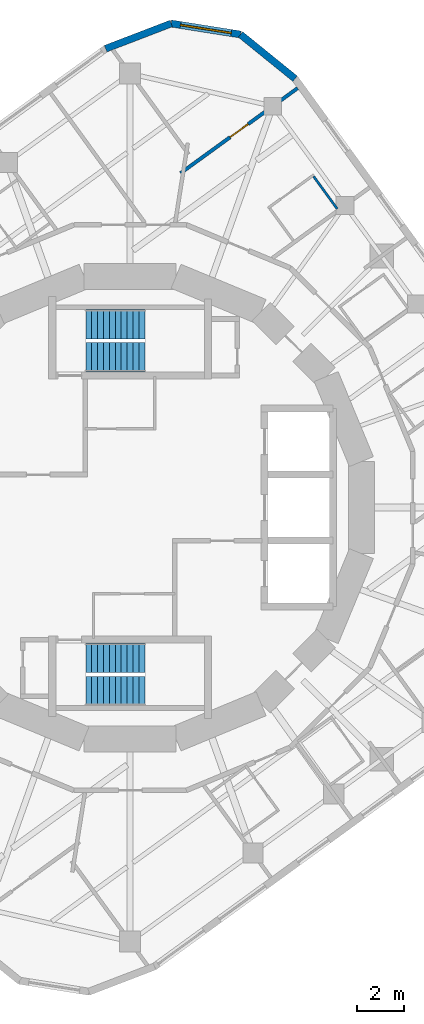
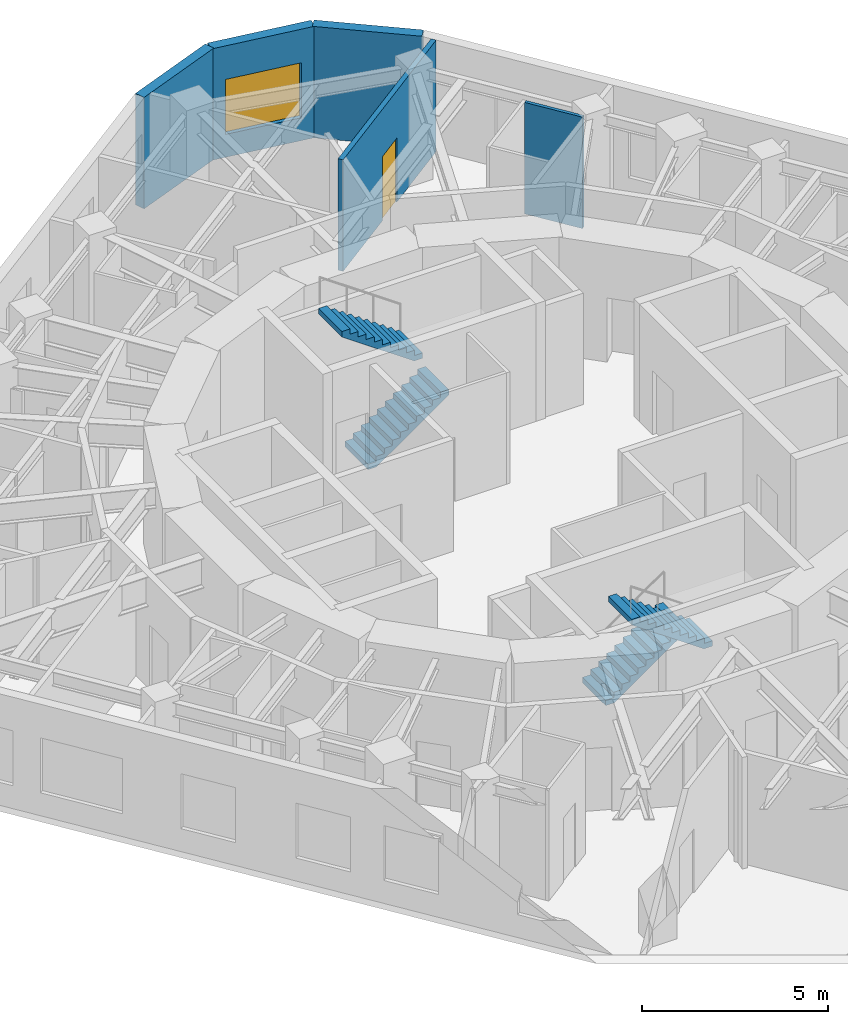
# One storey, part 8 of 9: 5 walls, 4 stair flights, 1 door, 1 window, 2 openings, 2 elements without a shape of their own.
"""IFC4 building model written with IfcOpenShell, lengths in metres."""

import ifcopenshell
import ifcopenshell.guid

model = None  # the IFC model being written
_history = None  # IfcOwnerHistory: only IFC2X3 demands one
_inside = {}  # id of a spatial element -> (the spatial element, [elements in it])
_under = {}  # id of a project, library or spatial element -> (it, [spatial elements below it])
_declared = {}  # id of a project -> (the project, [libraries it declares])
_typed = {}  # id of a type object -> (the type object, [elements of that type])
_made_of = {}  # id of a material, layer set ... -> (it, [elements and type objects made of it])


def new_model(schema):
    """Start an empty IFC model of exactly this schema.

    Asked for "IFC4X3", IfcOpenShell would pick the latest addendum, in which some entities
    have other attributes; the version numbers below select the first issue.
    IFC2X3 requires an IfcOwnerHistory on every rooted entity: one is made here for all.
    """
    global model, _history
    if schema == "IFC4X3":
        model = ifcopenshell.file(schema_version=(4, 3, 0, 0))
    else:
        model = ifcopenshell.file(schema=schema)
    _inside.clear()
    _under.clear()
    _declared.clear()
    _typed.clear()
    _made_of.clear()
    _history = None
    if model.schema == "IFC2X3":
        org = make("IfcOrganization", Name="unknown")
        user = make(
            "IfcPersonAndOrganization",
            ThePerson=make("IfcPerson", FamilyName="unknown"),
            TheOrganization=org,
        )
        app = make(
            "IfcApplication",
            ApplicationDeveloper=org,
            Version="unknown",
            ApplicationFullName="unknown",
            ApplicationIdentifier="unknown",
        )
        _history = make(
            "IfcOwnerHistory",
            OwningUser=user,
            OwningApplication=app,
            ChangeAction="ADDED",
            CreationDate=0,
        )
    return model


def make(cls, **values):
    """One entity of the class cls with the attributes given. An attribute that is None is left unset."""
    return model.create_entity(
        cls, **{name: value for name, value in values.items() if value is not None}
    )


def rooted(cls, **values):
    """An entity with a GlobalId (a new one), such as an element, a storey or a relation."""
    return make(cls, GlobalId=ifcopenshell.guid.new(), OwnerHistory=_history, **values)


def si_unit(unit_type, name, prefix=None):
    """IfcSIUnit, for example si_unit("LENGTHUNIT", "METRE", prefix="MILLI")."""
    return make("IfcSIUnit", UnitType=unit_type, Prefix=prefix, Name=name)


def assignment(units):
    """IfcUnitAssignment: the units of a project."""
    return None if units is None else make("IfcUnitAssignment", Units=units)


def point(xyz):
    """IfcCartesianPoint."""
    return None if xyz is None else make("IfcCartesianPoint", Coordinates=xyz)


def direction(xyz):
    """IfcDirection."""
    return None if xyz is None else make("IfcDirection", DirectionRatios=xyz)


def frame(location, z_axis=None, x_axis=None):
    """IfcAxis2Placement3D, a coordinate frame: its origin and axes. An axis left out is left unset."""
    return make(
        "IfcAxis2Placement3D",
        Location=point(location),
        Axis=direction(z_axis),
        RefDirection=direction(x_axis),
    )


def frame_2d(location, x_axis=None):
    """IfcAxis2Placement2D, a coordinate frame in the plane: its origin and x axis."""
    return make(
        "IfcAxis2Placement2D", Location=point(location), RefDirection=direction(x_axis)
    )


def origin():
    """The frame at (0, 0, 0) with its axes left unset."""
    return frame((0.0, 0.0, 0.0))


def place(relative_to, where):
    """IfcLocalPlacement: puts the frame where relative to a parent placement (None: the world)."""
    return make(
        "IfcLocalPlacement", PlacementRelTo=relative_to, RelativePlacement=where
    )


def context(
    kind, dimensions, precision=None, world=None, true_north=None, identifier=None
):
    """IfcGeometricRepresentationContext, for example the 3D "Model" context."""
    return make(
        "IfcGeometricRepresentationContext",
        ContextIdentifier=identifier,
        ContextType=kind,
        CoordinateSpaceDimension=dimensions,
        Precision=precision,
        WorldCoordinateSystem=world,
        TrueNorth=true_north,
    )


def subcontext(parent, identifier, kind, view, scale=None):
    """IfcGeometricRepresentationSubContext, for example "Body" below "Model"."""
    return make(
        "IfcGeometricRepresentationSubContext",
        ContextIdentifier=identifier,
        ContextType=kind,
        ParentContext=parent,
        TargetScale=scale,
        TargetView=view,
    )


def project(units=None, contexts=None):
    """IfcProject with its units and contexts."""
    return rooted(
        "IfcProject",
        Name="project",
        RepresentationContexts=contexts,
        UnitsInContext=assignment(units),
    )


def spatial(cls, under=None, at=None, **own):
    """A site, building, storey or space (cls), placed at a placement, below another one or the project."""
    s = rooted(cls, ObjectPlacement=at, **own)
    if under is not None:
        _under.setdefault(under.id(), (under, []))[1].append(s)
    return s


def polyline(points):
    """IfcPolyline through the points."""
    return make("IfcPolyline", Points=[point(p) for p in points])


def profile(cls, at=None, kind="AREA", **sizes):
    """A parametric profile (cls). Its sizes go by their IFC names, for example OverallWidth=200.0."""
    return make(cls, ProfileType=kind, Position=at, **sizes)


def rectangle(**sizes):
    """IfcRectangleProfileDef."""
    return profile("IfcRectangleProfileDef", **sizes)


def outline(outer, holes=None, kind="AREA"):
    """IfcArbitraryClosedProfileDef: a profile drawn as a closed curve; with holes, ...WithVoids."""
    if holes is None:
        return make("IfcArbitraryClosedProfileDef", ProfileType=kind, OuterCurve=outer)
    return make(
        "IfcArbitraryProfileDefWithVoids",
        ProfileType=kind,
        OuterCurve=outer,
        InnerCurves=holes,
    )


def extrude(swept, where, along, depth):
    """IfcExtrudedAreaSolid: the profile swept, set in the frame where, extruded along a direction by depth."""
    return make(
        "IfcExtrudedAreaSolid",
        SweptArea=swept,
        Position=where,
        ExtrudedDirection=direction(along),
        Depth=depth,
    )


def shape(context_of_items, identifier, shape_type, items):
    """IfcShapeRepresentation: the items that make up one representation, for example the "Body"."""
    return make(
        "IfcShapeRepresentation",
        ContextOfItems=context_of_items,
        RepresentationIdentifier=identifier,
        RepresentationType=shape_type,
        Items=items,
    )


def material(Name=None, Category=None):
    """IfcMaterial."""
    return make("IfcMaterial", Name=Name, Category=Category)


def layer(
    of_material, thickness, ventilated=None, Name=None, Category=None, Priority=None
):
    """IfcMaterialLayer: one layer of a wall or slab, of a material (None: an air gap)."""
    return make(
        "IfcMaterialLayer",
        Material=of_material,
        LayerThickness=thickness,
        IsVentilated=ventilated,
        Name=Name,
        Category=Category,
        Priority=Priority,
    )


def layer_set(layers, Name=None):
    """IfcMaterialLayerSet."""
    return make("IfcMaterialLayerSet", MaterialLayers=layers, LayerSetName=Name)


def made_of(thing, what):
    """Note that an element or type object is made of a material, layer set ...; save() writes the relation."""
    if what is not None:
        _made_of.setdefault(what.id(), (what, []))[1].append(thing)
    return thing


def type_object(cls, material=None, **own):
    """A type object (cls), such as IfcWallType, which elements share."""
    return made_of(rooted(cls, **own), material)


def element(
    cls,
    number,
    at=None,
    inside=None,
    cuts=None,
    type_object=None,
    material=None,
    context=None,
    identifier="Body",
    shape_type=None,
    held_by="IfcProductDefinitionShape",
    body=None,
    shapes=None,
    **own,
):
    """One element of the class cls, such as IfcWall. Its Tag is "e" and its number.

    at: its placement. inside: the storey or other place that contains it. cuts: it is an
    opening in that element (IfcRelVoidsElement). A single representation is given by context,
    identifier, shape_type and body (its items); several are given by shapes. held_by: the class
    of the entity that holds the representations. save() writes the other relations.
    """
    e = rooted(cls, Tag="e%d" % number, ObjectPlacement=at, **own)
    if body is not None:
        shapes = [shape(context, identifier, shape_type, body)]
    if shapes is not None:
        e.Representation = make(held_by, Representations=shapes)
    if inside is not None:
        _inside.setdefault(inside.id(), (inside, []))[1].append(e)
    if cuts is not None:
        rooted(
            "IfcRelVoidsElement", RelatingBuildingElement=cuts, RelatedOpeningElement=e
        )
    if type_object is not None:
        _typed.setdefault(type_object.id(), (type_object, []))[1].append(e)
    return made_of(e, material)


def fill(opening, filler):
    """IfcRelFillsElement: the door or window that sits in an opening."""
    return rooted(
        "IfcRelFillsElement",
        RelatingOpeningElement=opening,
        RelatedBuildingElement=filler,
    )


def aggregate(whole, parts):
    """IfcRelAggregates: a whole, such as a stair, and the parts it consists of."""
    return rooted("IfcRelAggregates", RelatingObject=whole, RelatedObjects=parts)


def save(model, path):
    """Write the relations noted so far, then the file.

    IfcRelAggregates (storeys below a building ...), IfcRelContainedInSpatialStructure (elements
    in a storey), IfcRelDefinesByType, IfcRelAssociatesMaterial and IfcRelDeclares: one each for
    every whole, place, type object, material and project.
    """
    for whole, parts in _under.values():
        aggregate(whole, parts)
    for where, things in _inside.values():
        rooted(
            "IfcRelContainedInSpatialStructure",
            RelatedElements=things,
            RelatingStructure=where,
        )
    for kind, things in _typed.values():
        rooted("IfcRelDefinesByType", RelatedObjects=things, RelatingType=kind)
    for what, things in _made_of.values():
        rooted("IfcRelAssociatesMaterial", RelatedObjects=things, RelatingMaterial=what)
    for by, libraries in _declared.values():
        rooted("IfcRelDeclares", RelatingContext=by, RelatedDefinitions=libraries)
    model.write(path)


model = new_model("IFC4")

# Units and contexts
model_context = context("Model", 3, precision=1e-05, world=origin(), true_north=direction((0.0, 1.0)))
body_context = subcontext(model_context, "Body", "Model", "MODEL_VIEW")
ifc_project = project(units=[si_unit("LENGTHUNIT", "METRE"), si_unit("AREAUNIT", "SQUARE_METRE"), si_unit("VOLUMEUNIT", "CUBIC_METRE"), si_unit("PLANEANGLEUNIT", "RADIAN"), si_unit("MASSUNIT", "GRAM", prefix="KILO")], contexts=[model_context])

# Site, building, storey
site_placement = place(None, origin())
site = spatial("IfcSite", under=ifc_project, at=site_placement, CompositionType="ELEMENT")
building_placement = place(site_placement, origin())
building = spatial("IfcBuilding", under=site, at=building_placement, Name="Nakasero Lantern House", CompositionType="ELEMENT")
storey_placement = place(building_placement, frame((0.0, 0.0, 283.0)))
storey = spatial("IfcBuildingStorey", under=building, at=storey_placement, Name="L69", CompositionType="ELEMENT", Elevation=283.0)

# Walls
ifc_material_1 = material(Name="Blockwork", Category="masonry")
ifc_layer_1 = layer(ifc_material_1, 0.10009765625)
ifc_layer_set_1 = layer_set([ifc_layer_1], Name="En-suite wall 100")
wall_type_1 = type_object("IfcWallType", Name="En-suite wall 100", PredefinedType="PARTITIONING", material=ifc_layer_set_1)
wall_1_placement = place(storey_placement, frame((8.78271484375, 12.665771484375, 0.0), z_axis=(0.0, 0.0, 1.0), x_axis=(-0.587821529301, 0.808990636343, 0.0)))
element("IfcWall", 1, at=wall_1_placement, inside=storey, type_object=wall_type_1, Name="En-suite wall L69 EE0-06", PredefinedType="PARTITIONING", context=body_context, shape_type="SweptSolid", body=[
    extrude(rectangle(XDim=1.699951171875, YDim=0.10009765625, at=frame_2d((0.85009765625, 0.0))), origin(), (0.0, 0.0, 1.0), 3.64990234375),
])
ifc_material_2 = material(Name="Aluminium rainscreen on blockwork", Category="masonry")
ifc_layer_2 = layer(ifc_material_2, 0.300048828125)
ifc_layer_set_2 = layer_set([ifc_layer_2], Name="Facade wall 300")
wall_type_2 = type_object("IfcWallType", Name="Facade wall 300", PredefinedType="SOLIDWALL", material=ifc_layer_set_2)
wall_2_placement = place(storey_placement, frame((6.996826171875, 18.185791015625, 0.0), z_axis=(0.0, 0.0, 1.0), x_axis=(-0.777101588319, 0.629375183362, 0.0)))
element("IfcWall", 2, at=wall_2_placement, inside=storey, type_object=wall_type_2, Name="Facade wall L69 FW0C1", PredefinedType="SOLIDWALL", context=body_context, shape_type="SweptSolid", body=[
    extrude(rectangle(XDim=2.976318359375, YDim=0.300048828125, at=frame_2d((1.48828125, 0.0))), origin(), (0.0, 0.0, 1.0), 3.64990234375),
])

# Wall, opening, window
wall_3_placement = place(storey_placement, frame((4.683837890625, 20.05908203125, 0.0), z_axis=(0.0, 0.0, 1.0), x_axis=(-0.987691704133, 0.156413227021, 0.0)))
wall_3 = element("IfcWall", 3, at=wall_3_placement, inside=storey, type_object=wall_type_2, Name="Facade wall L69 FW0C2", PredefinedType="SOLIDWALL", context=body_context, shape_type="SweptSolid", body=[
    extrude(rectangle(XDim=2.9765625, YDim=0.300048828125, at=frame_2d((1.48828125, 0.0))), origin(), (0.0, 0.0, 1.0), 3.64990234375),
])
opening_1_placement = place(wall_3_placement, frame((0.39990234375, 0.0, 0.75)))
opening_1 = element("IfcOpeningElement", 4, at=opening_1_placement, cuts=wall_3, Name="Opening W221", PredefinedType="OPENING", context=body_context, shape_type="SweptSolid", body=[
    extrude(rectangle(XDim=2.176025390625, YDim=1.800048828125, at=frame_2d((1.087890625, 0.89990234375))), frame((0.0, 0.169921875, 0.0), z_axis=(0.0, -1.0, 0.0), x_axis=(1.0, 0.0, 0.0)), (0.0, 0.0, 1.0), 0.340087890625),
])
ifc_material_3 = material(Name="Aluminium 6063-T6 and glass", Category="aluminium")
window_type = type_object("IfcWindowType", Name="Corner window 2176x1800", PartitioningType="SINGLE_PANEL", PredefinedType="WINDOW", material=ifc_material_3)
window_placement = place(opening_1_placement, origin())
window = element("IfcWindow", 5, at=window_placement, inside=storey, type_object=window_type, Name="Window L69 WC0", OverallHeight=1.800048828125, OverallWidth=2.176025390625, PartitioningType="SINGLE_PANEL", PredefinedType="WINDOW", context=body_context, shape_type="SweptSolid", body=[
    extrude(rectangle(XDim=2.176025390625, YDim=1.800048828125, at=frame_2d((1.087890625, 0.89990234375))), frame((0.0, 0.030029296875, 0.0), z_axis=(0.0, -1.0, 0.0), x_axis=(1.0, 0.0, 0.0)), (0.0, 0.0, 1.0), 0.06005859375),
])
fill(opening_1, window)

# Wall
wall_4_placement = place(storey_placement, frame((1.743896484375, 20.524658203125, 0.0), z_axis=(0.0, 0.0, 1.0), x_axis=(-0.933573745966, -0.35838535244, 0.0)))
element("IfcWall", 6, at=wall_4_placement, inside=storey, type_object=wall_type_2, Name="Facade wall L69 FW0C3", PredefinedType="SOLIDWALL", context=body_context, shape_type="SweptSolid", body=[
    extrude(rectangle(XDim=2.976318359375, YDim=0.300048828125, at=frame_2d((1.48828125, 0.0))), origin(), (0.0, 0.0, 1.0), 3.64990234375),
])

# Wall, opening, door
ifc_material_4 = material(Name="Blockwork", Category="masonry")
ifc_layer_3 = layer(ifc_material_4, 0.14990234375)
ifc_layer_set_3 = layer_set([ifc_layer_3], Name="Party wall 150")
wall_type_3 = type_object("IfcWallType", Name="Party wall 150", PredefinedType="PARTITIONING", material=ifc_layer_set_3)
wall_5_placement = place(storey_placement, frame((2.137939453125, 14.1767578125, 0.0), z_axis=(0.0, 0.0, 1.0), x_axis=(0.809024975628, 0.587774266883, 0.0)))
wall_5 = element("IfcWall", 7, at=wall_5_placement, inside=storey, type_object=wall_type_3, Name="Party wall L69 PW0-07", PredefinedType="PARTITIONING", context=body_context, shape_type="SweptSolid", body=[
    extrude(rectangle(XDim=6.137451171875, YDim=0.14990234375, at=frame_2d((3.06884765625, 0.0))), origin(), (0.0, 0.0, 1.0), 3.64990234375),
])
opening_2_placement = place(wall_5_placement, frame((2.60009765625, 0.0, 0.0)))
opening_2 = element("IfcOpeningElement", 8, at=opening_2_placement, cuts=wall_5, Name="Opening D01", PredefinedType="OPENING", context=body_context, shape_type="SweptSolid", body=[
    extrude(rectangle(XDim=0.949951171875, YDim=2.10009765625, at=frame_2d((0.47509765625, 1.050048828125))), frame((0.0, 0.094970703125, 0.0), z_axis=(0.0, -1.0, 0.0), x_axis=(1.0, 0.0, 0.0)), (0.0, 0.0, 1.0), 0.18994140625),
])
ifc_material_5 = material(Name="Timber C24", Category="wood")
door_type = type_object("IfcDoorType", Name="Bedroom door FD30S 950", OperationType="SINGLE_SWING_LEFT", PredefinedType="DOOR", material=ifc_material_5)
door_placement = place(opening_2_placement, origin())
door = element("IfcDoor", 9, at=door_placement, inside=storey, type_object=door_type, Name="Door L69 DC0", OperationType="SINGLE_SWING_RIGHT", OverallHeight=2.10009765625, OverallWidth=0.949951171875, PredefinedType="DOOR", context=body_context, shape_type="SweptSolid", body=[
    extrude(rectangle(XDim=0.949951171875, YDim=2.10009765625, at=frame_2d((0.47509765625, 1.050048828125))), frame((0.0, 0.02490234375, 0.0), z_axis=(0.0, -1.0, 0.0), x_axis=(1.0, 0.0, 0.0)), (0.0, 0.0, 1.0), 0.050048828125),
])
fill(opening_2, door)

# Stair, stair flights
ifc_material_6 = material(Name="Concrete C40/50", Category="concrete")
stair_type_1 = type_object("IfcStairType", Name="Escape stair ST1 22 risers", PredefinedType="HALF_TURN_STAIR", material=ifc_material_6)
stair_1_placement = place(storey_placement, origin())
stair_1 = element("IfcStair", 10, at=stair_1_placement, inside=storey, type_object=stair_type_1, Name="Escape stair ST1 L69", PredefinedType="HALF_TURN_STAIR")
ifc_material_7 = material(Name="Concrete C40/50", Category="concrete")
stair_flight_type = type_object("IfcStairFlightType", Name="Escape stair flight", PredefinedType="STRAIGHT", material=ifc_material_7)
stair_flight_1_placement = place(storey_placement, frame((-1.875, 6.375, 0.0), z_axis=(0.0, 0.0, 1.0), x_axis=(1.0, 0.0, 0.0)))
stair_flight_1 = element("IfcStairFlight", 11, at=stair_flight_1_placement, type_object=stair_flight_type, Name="ST1 flight 1", NumberOfRisers=11, NumberOfTreads=10, PredefinedType="STRAIGHT", RiserHeight=0.175, TreadLength=0.25, context=body_context, shape_type="SweptSolid", body=[
    extrude(outline(polyline([(0.0, 0.0), (0.0, 0.175048828125), (0.25, 0.175048828125), (0.25, 0.35009765625), (0.5, 0.35009765625), (0.5, 0.52490234375), (0.75, 0.52490234375), (0.75, 0.699951171875), (1.0, 0.699951171875), (1.0, 0.875), (1.25, 0.875), (1.25, 1.050048828125), (1.5, 1.050048828125), (1.5, 1.22509765625), (1.75, 1.22509765625), (1.75, 1.39990234375), (2.0, 1.39990234375), (2.0, 1.574951171875), (2.25, 1.574951171875), (2.25, 1.75), (2.5, 1.75), (2.5, 1.925048828125), (2.5, 1.567138671875), (0.261474609375, 0.0), (0.0, 0.0)])), frame((0.0, 0.625, 0.0), z_axis=(0.0, -1.0, 0.0), x_axis=(1.0, 0.0, 0.0)), (0.0, 0.0, 1.0), 1.25),
])
stair_flight_2_placement = place(storey_placement, frame((0.625, 7.77490234375, 1.925048828125), z_axis=(0.0, 0.0, 1.0), x_axis=(-1.0, 0.0, 0.0)))
stair_flight_2 = element("IfcStairFlight", 12, at=stair_flight_2_placement, type_object=stair_flight_type, Name="ST1 flight 2", NumberOfRisers=11, NumberOfTreads=10, PredefinedType="STRAIGHT", RiserHeight=0.175, TreadLength=0.25, context=body_context, shape_type="SweptSolid", body=[
    extrude(outline(polyline([(0.0, 0.0), (0.0, 0.175048828125), (0.25, 0.175048828125), (0.25, 0.35009765625), (0.5, 0.35009765625), (0.5, 0.52490234375), (0.75, 0.52490234375), (0.75, 0.699951171875), (1.0, 0.699951171875), (1.0, 0.875), (1.25, 0.875), (1.25, 1.050048828125), (1.5, 1.050048828125), (1.5, 1.22509765625), (1.75, 1.22509765625), (1.75, 1.39990234375), (2.0, 1.39990234375), (2.0, 1.574951171875), (2.25, 1.574951171875), (2.25, 1.75), (2.5, 1.75), (2.5, 1.925048828125), (2.5, 1.567138671875), (0.261474609375, 0.0), (0.0, 0.0)])), frame((0.0, 0.625, 0.0), z_axis=(0.0, -1.0, 0.0), x_axis=(1.0, 0.0, 0.0)), (0.0, 0.0, 1.0), 1.25),
])
aggregate(stair_1, [stair_flight_1, stair_flight_2])

ifc_material_8 = material(Name="Concrete C40/50", Category="concrete")
stair_type_2 = type_object("IfcStairType", Name="Escape stair ST2 22 risers", PredefinedType="HALF_TURN_STAIR", material=ifc_material_8)
stair_2_placement = place(storey_placement, origin())
stair_2 = element("IfcStair", 13, at=stair_2_placement, inside=storey, type_object=stair_type_2, Name="Escape stair ST2 L69", PredefinedType="HALF_TURN_STAIR")
stair_flight_3_placement = place(storey_placement, frame((-1.875, -6.375, 0.0), z_axis=(0.0, 0.0, 1.0), x_axis=(1.0, 0.0, 0.0)))
stair_flight_3 = element("IfcStairFlight", 14, at=stair_flight_3_placement, type_object=stair_flight_type, Name="ST2 flight 1", NumberOfRisers=11, NumberOfTreads=10, PredefinedType="STRAIGHT", RiserHeight=0.175, TreadLength=0.25, context=body_context, shape_type="SweptSolid", body=[
    extrude(outline(polyline([(0.0, 0.0), (0.0, 0.175048828125), (0.25, 0.175048828125), (0.25, 0.35009765625), (0.5, 0.35009765625), (0.5, 0.52490234375), (0.75, 0.52490234375), (0.75, 0.699951171875), (1.0, 0.699951171875), (1.0, 0.875), (1.25, 0.875), (1.25, 1.050048828125), (1.5, 1.050048828125), (1.5, 1.22509765625), (1.75, 1.22509765625), (1.75, 1.39990234375), (2.0, 1.39990234375), (2.0, 1.574951171875), (2.25, 1.574951171875), (2.25, 1.75), (2.5, 1.75), (2.5, 1.925048828125), (2.5, 1.567138671875), (0.261474609375, 0.0), (0.0, 0.0)])), frame((0.0, 0.625, 0.0), z_axis=(0.0, -1.0, 0.0), x_axis=(1.0, 0.0, 0.0)), (0.0, 0.0, 1.0), 1.25),
])
stair_flight_4_placement = place(storey_placement, frame((0.625, -7.77490234375, 1.925048828125), z_axis=(0.0, 0.0, 1.0), x_axis=(-1.0, 0.0, 0.0)))
stair_flight_4 = element("IfcStairFlight", 15, at=stair_flight_4_placement, type_object=stair_flight_type, Name="ST2 flight 2", NumberOfRisers=11, NumberOfTreads=10, PredefinedType="STRAIGHT", RiserHeight=0.175, TreadLength=0.25, context=body_context, shape_type="SweptSolid", body=[
    extrude(outline(polyline([(0.0, 0.0), (0.0, 0.175048828125), (0.25, 0.175048828125), (0.25, 0.35009765625), (0.5, 0.35009765625), (0.5, 0.52490234375), (0.75, 0.52490234375), (0.75, 0.699951171875), (1.0, 0.699951171875), (1.0, 0.875), (1.25, 0.875), (1.25, 1.050048828125), (1.5, 1.050048828125), (1.5, 1.22509765625), (1.75, 1.22509765625), (1.75, 1.39990234375), (2.0, 1.39990234375), (2.0, 1.574951171875), (2.25, 1.574951171875), (2.25, 1.75), (2.5, 1.75), (2.5, 1.925048828125), (2.5, 1.567138671875), (0.261474609375, 0.0), (0.0, 0.0)])), frame((0.0, 0.625, 0.0), z_axis=(0.0, -1.0, 0.0), x_axis=(1.0, 0.0, 0.0)), (0.0, 0.0, 1.0), 1.25),
])
aggregate(stair_2, [stair_flight_3, stair_flight_4])

save(model, "model.ifc")
